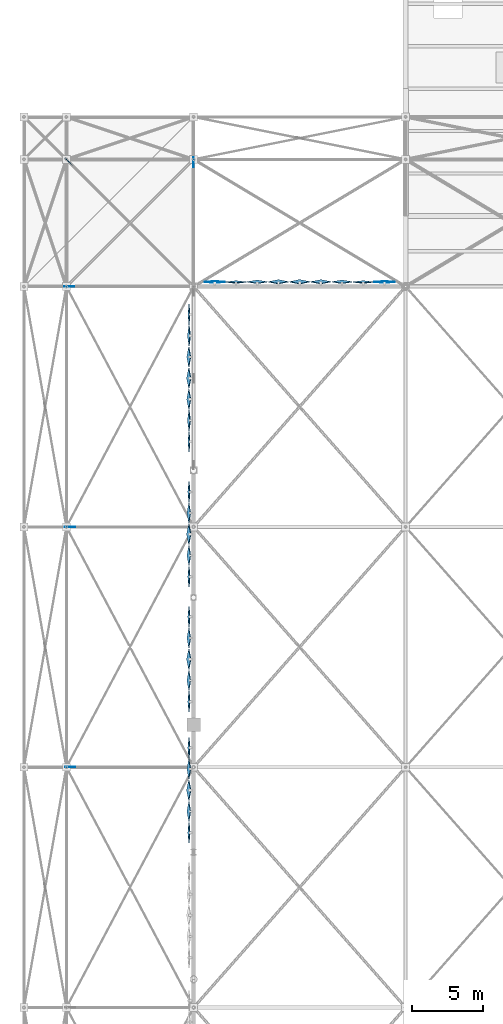
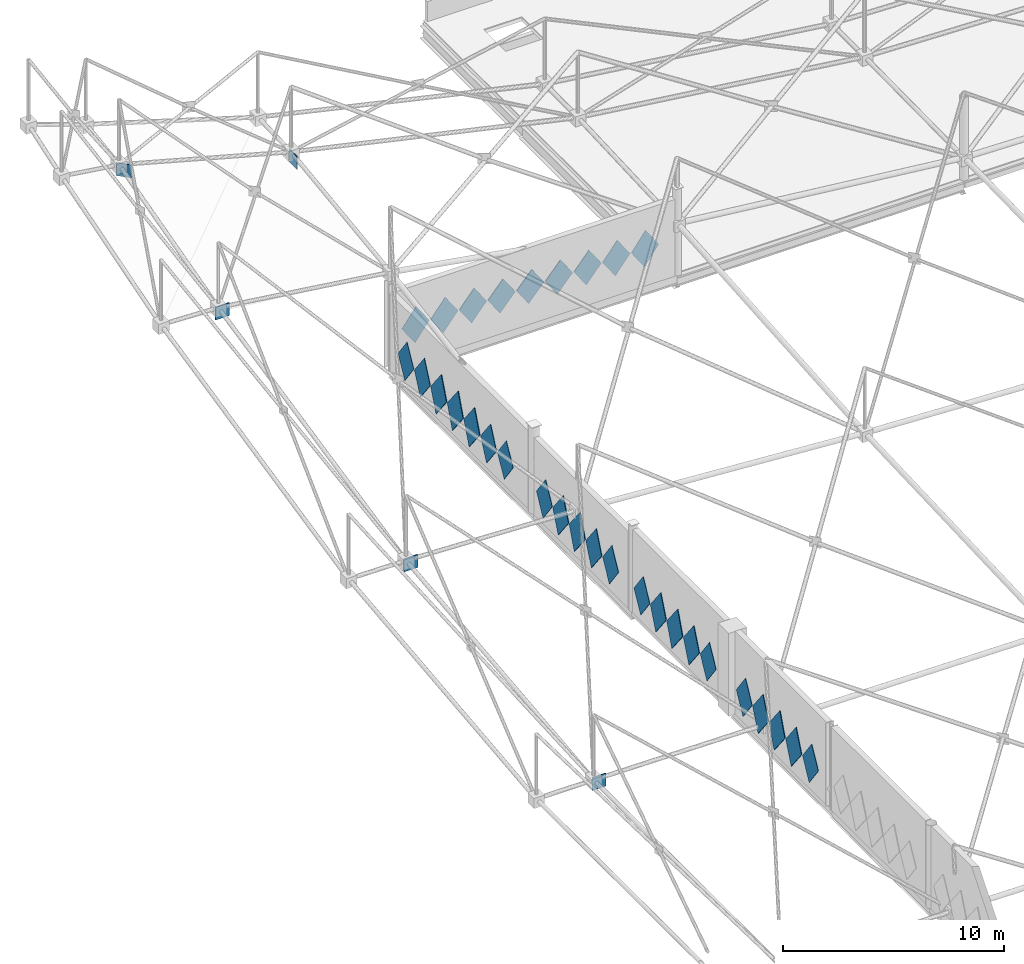
# One storey, part 164 of 224: 36 plates.
"""IFC4 building model written with IfcOpenShell, lengths in metres."""

from ifc_helpers import new_model, si_unit, direction, frame, origin, origin_2d, place, context, subcontext, project, spatial, polyline, rectangle, outline, extrude, material, layer, layer_set, type_object, element, save


model = new_model("IFC4")

# Units and contexts
model_context = context("Model", 3, precision=1e-05, world=origin(), true_north=direction((0.0, 1.0)))
body_context = subcontext(model_context, "Body", "Model", "MODEL_VIEW")
ifc_project = project(units=[si_unit("LENGTHUNIT", "METRE"), si_unit("AREAUNIT", "SQUARE_METRE"), si_unit("VOLUMEUNIT", "CUBIC_METRE"), si_unit("PLANEANGLEUNIT", "RADIAN"), si_unit("MASSUNIT", "GRAM", prefix="KILO")], contexts=[model_context])

# Site, building, storey
site_placement = place(None, origin())
site = spatial("IfcSite", under=ifc_project, at=site_placement, CompositionType="ELEMENT")
building_placement = place(site_placement, origin())
building = spatial("IfcBuilding", under=site, at=building_placement, Name="Qamarlyn Nura Convention Centre", CompositionType="ELEMENT")
storey_placement = place(building_placement, frame((0.0, 0.0, 10.800048828125)))
storey = spatial("IfcBuildingStorey", under=building, at=storey_placement, Name="L02", CompositionType="ELEMENT", Elevation=10.800048828125)

# Plates
ifc_material_1 = material(Name="White high-albedo PVDF aluminium composite sheet", Category="aluminium")
ifc_layer_1 = layer(ifc_material_1, 0.02001953125, Name="FP-DIAM-02")
ifc_layer_set_1 = layer_set([ifc_layer_1], Name="White high-albedo PVDF aluminium composite sheet")
plate_type_1 = type_object("IfcPlateType", Name="FP-DIAM-02", PredefinedType="SHEET", material=ifc_layer_set_1)
for number, where, z_axis, x_axis, name in (
    (1, (-0.31005859375, 92.020751953125, 1.699951171875), (-0.998638653892, 0.0, 0.052161661713), (0.0, -1.0, 0.0), "L02 pivoted white diamond facade tile 0235"),
    (2, (-0.31005859375, 101.020751953125, 1.699951171875), (-0.998638653892, 0.0, 0.052161661713), (0.0, -1.0, 0.0), "L02 pivoted white diamond facade tile 0241"),
    (3, (1.50048828125, 103.31005859375, 1.699951171875), (0.0, 0.998922518042, 0.046409082599), (-1.0, 0.0, 0.0), "L02 pivoted white diamond facade tile 0278"),
    (4, (13.500732421875, 103.31005859375, 1.699951171875), (0.0, 0.998922518042, 0.046409082599), (-1.0, 0.0, 0.0), "L02 pivoted white diamond facade tile 0286"),
):
    element("IfcPlate", number, at=place(storey_placement, frame(where, z_axis=z_axis, x_axis=x_axis)), inside=storey, type_object=plate_type_1, Name=name, PredefinedType="SHEET", context=body_context, shape_type="SweptSolid", body=[
        extrude(outline(polyline([(-0.719970703125, 0.0), (0.0, -1.050048828125), (0.719970703125, 0.0), (0.0, 1.050048828125), (-0.719970703125, 0.0)])), origin(), (0.0, 0.0, 1.0), 0.02001953125),
    ])
ifc_layer_2 = layer(ifc_material_1, 0.02392578125, Name="FP-DIAM-03")
ifc_layer_set_2 = layer_set([ifc_layer_2], Name="White high-albedo PVDF aluminium composite sheet")
plate_type_2 = type_object("IfcPlateType", Name="FP-DIAM-03", PredefinedType="SHEET", material=ifc_layer_set_2)
for number, where, z_axis, x_axis, name in (
    (5, (-0.31005859375, 64.368896484375, 1.699951171875), (-0.998059468659, 0.0, 0.062267945373), (0.0, -1.0, 0.0), "L02 pivoted white diamond facade tile 0220"),
    (6, (-0.31005859375, 70.368896484375, 1.699951171875), (-0.998059468659, 0.0, 0.062267945373), (0.0, -1.0, 0.0), "L02 pivoted white diamond facade tile 0224"),
    (7, (-0.31005859375, 73.635986328125, 1.699951171875), (-0.998059468659, 0.0, 0.062267945373), (0.0, -1.0, 0.0), "L02 pivoted white diamond facade tile 0225"),
    (8, (-0.31005859375, 79.635986328125, 1.699951171875), (-0.998059468659, 0.0, 0.062267945373), (0.0, -1.0, 0.0), "L02 pivoted white diamond facade tile 0229"),
    (9, (-0.31005859375, 82.474609375, 1.699951171875), (-0.998059468659, 0.0, 0.062267945373), (0.0, -1.0, 0.0), "L02 pivoted white diamond facade tile 0230"),
    (10, (-0.31005859375, 88.474609375, 1.699951171875), (-0.998059468659, 0.0, 0.062267945373), (0.0, -1.0, 0.0), "L02 pivoted white diamond facade tile 0234"),
):
    element("IfcPlate", number, at=place(storey_placement, frame(where, z_axis=z_axis, x_axis=x_axis)), inside=storey, type_object=plate_type_2, Name=name, PredefinedType="SHEET", context=body_context, shape_type="SweptSolid", body=[
        extrude(outline(polyline([(-0.719970703125, 0.0), (0.0, -1.050048828125), (0.719970703125, 0.0), (0.0, 1.050048828125), (-0.719970703125, 0.0)])), origin(), (0.0, 0.0, 1.0), 0.02392578125),
    ])
ifc_layer_3 = layer(ifc_material_1, 0.02587890625, Name="FP-DIAM-04")
ifc_layer_set_3 = layer_set([ifc_layer_3], Name="White high-albedo PVDF aluminium composite sheet")
plate_type_3 = type_object("IfcPlateType", Name="FP-DIAM-04", PredefinedType="SHEET", material=ifc_layer_set_3)
for number, where, z_axis, x_axis, name in (
    (11, (3.00048828125, 103.31005859375, 1.699951171875), (0.0, 0.996419457129, 0.084547415428), (-1.0, 0.0, 0.0), "L02 pivoted white diamond facade tile 0279"),
    (12, (12.000732421875, 103.31005859375, 1.699951171875), (0.0, 0.996419457129, 0.084547415428), (-1.0, 0.0, 0.0), "L02 pivoted white diamond facade tile 0285"),
):
    element("IfcPlate", number, at=place(storey_placement, frame(where, z_axis=z_axis, x_axis=x_axis)), inside=storey, type_object=plate_type_3, Name=name, PredefinedType="SHEET", context=body_context, shape_type="SweptSolid", body=[
        extrude(outline(polyline([(-0.719970703125, 0.0), (0.0, -1.050048828125), (0.719970703125, 0.0), (0.0, 1.050048828125), (-0.719970703125, 0.0)])), origin(), (0.0, 0.0, 1.0), 0.02587890625),
    ])
ifc_layer_4 = layer(ifc_material_1, 0.030029296875, Name="FP-DIAM-05")
ifc_layer_set_4 = layer_set([ifc_layer_4], Name="White high-albedo PVDF aluminium composite sheet")
plate_type_4 = type_object("IfcPlateType", Name="FP-DIAM-05", PredefinedType="SHEET", material=ifc_layer_set_4)
for number, where, z_axis, x_axis, name in (
    (13, (-0.31005859375, 93.520751953125, 1.699951171875), (-0.995090178471, 0.0, 0.098972403781), (0.0, -1.0, 0.0), "L02 pivoted white diamond facade tile 0236"),
    (14, (-0.31005859375, 99.520751953125, 1.699951171875), (-0.995090178471, 0.0, 0.098972403781), (0.0, -1.0, 0.0), "L02 pivoted white diamond facade tile 0240"),
):
    element("IfcPlate", number, at=place(storey_placement, frame(where, z_axis=z_axis, x_axis=x_axis)), inside=storey, type_object=plate_type_4, Name=name, PredefinedType="SHEET", context=body_context, shape_type="SweptSolid", body=[
        extrude(outline(polyline([(-0.719970703125, 0.0), (0.0, -1.050048828125), (0.719970703125, 0.0), (0.0, 1.050048828125), (-0.719970703125, 0.0)])), origin(), (0.0, 0.0, 1.0), 0.030029296875),
    ])
ifc_layer_5 = layer(ifc_material_1, 0.0380859375, Name="FP-DIAM-07")
ifc_layer_set_5 = layer_set([ifc_layer_5], Name="White high-albedo PVDF aluminium composite sheet")
plate_type_5 = type_object("IfcPlateType", Name="FP-DIAM-07", PredefinedType="SHEET", material=ifc_layer_set_5)
for number, where, z_axis, x_axis, name in (
    (15, (-0.31005859375, 65.868896484375, 1.699951171875), (-0.99271534578, 0.0, 0.120483369194), (0.0, -1.0, 0.0), "L02 pivoted white diamond facade tile 0221"),
    (16, (-0.31005859375, 68.868896484375, 1.699951171875), (-0.99271534578, 0.0, 0.120483369194), (0.0, -1.0, 0.0), "L02 pivoted white diamond facade tile 0223"),
    (17, (-0.31005859375, 75.135986328125, 1.699951171875), (-0.99271534578, 0.0, 0.120483369194), (0.0, -1.0, 0.0), "L02 pivoted white diamond facade tile 0226"),
    (18, (-0.31005859375, 78.135986328125, 1.699951171875), (-0.99271534578, 0.0, 0.120483369194), (0.0, -1.0, 0.0), "L02 pivoted white diamond facade tile 0228"),
    (19, (-0.31005859375, 83.974609375, 1.699951171875), (-0.99271534578, 0.0, 0.120483369194), (0.0, -1.0, 0.0), "L02 pivoted white diamond facade tile 0231"),
    (20, (-0.31005859375, 86.974609375, 1.699951171875), (-0.99271534578, 0.0, 0.120483369194), (0.0, -1.0, 0.0), "L02 pivoted white diamond facade tile 0233"),
    (21, (4.500732421875, 103.31005859375, 1.699951171875), (0.0, 0.993312448482, 0.115457263478), (-1.0, 0.0, 0.0), "L02 pivoted white diamond facade tile 0280"),
    (22, (10.500732421875, 103.31005859375, 1.699951171875), (0.0, 0.993312448482, 0.115457263478), (-1.0, 0.0, 0.0), "L02 pivoted white diamond facade tile 0284"),
):
    element("IfcPlate", number, at=place(storey_placement, frame(where, z_axis=z_axis, x_axis=x_axis)), inside=storey, type_object=plate_type_5, Name=name, PredefinedType="SHEET", context=body_context, shape_type="SweptSolid", body=[
        extrude(outline(polyline([(-0.719970703125, 0.0), (0.0, -1.050048828125), (0.719970703125, 0.0), (0.0, 1.050048828125), (-0.719970703125, 0.0)])), origin(), (0.0, 0.0, 1.0), 0.0380859375),
    ])
ifc_layer_6 = layer(ifc_material_1, 0.0439453125, Name="FP-DIAM-08")
ifc_layer_set_6 = layer_set([ifc_layer_6], Name="White high-albedo PVDF aluminium composite sheet")
plate_type_6 = type_object("IfcPlateType", Name="FP-DIAM-08", PredefinedType="SHEET", material=ifc_layer_set_6)
for number, where, z_axis, x_axis, name in (
    (23, (-0.31005859375, 67.368896484375, 1.699951171875), (-0.989776230908, 0.0, 0.142628933706), (0.0, -1.0, 0.0), "L02 pivoted white diamond facade tile 0222"),
    (24, (-0.31005859375, 76.635986328125, 1.699951171875), (-0.989776230908, 0.0, 0.142628933706), (0.0, -1.0, 0.0), "L02 pivoted white diamond facade tile 0227"),
    (25, (-0.31005859375, 85.474609375, 1.699951171875), (-0.989776230908, 0.0, 0.142628933706), (0.0, -1.0, 0.0), "L02 pivoted white diamond facade tile 0232"),
    (26, (-0.31005859375, 95.020751953125, 1.699951171875), (-0.9913534953, 0.0, 0.131218319443), (0.0, -1.0, 0.0), "L02 pivoted white diamond facade tile 0237"),
    (27, (-0.31005859375, 96.520751953125, 1.699951171875), (-0.989776230908, 0.0, 0.142628933706), (0.0, -1.0, 0.0), "L02 pivoted white diamond facade tile 0238"),
    (28, (-0.31005859375, 98.020751953125, 1.699951171875), (-0.9913534953, 0.0, 0.131218319443), (0.0, -1.0, 0.0), "L02 pivoted white diamond facade tile 0239"),
    (29, (6.000732421875, 103.31005859375, 1.699951171875), (0.0, 0.990747840471, 0.135715572434), (-1.0, 0.0, 0.0), "L02 pivoted white diamond facade tile 0281"),
    (30, (7.500732421875, 103.31005859375, 1.699951171875), (0.0, 0.989776230908, 0.142628933706), (-1.0, 0.0, 0.0), "L02 pivoted white diamond facade tile 0282"),
    (31, (9.000732421875, 103.31005859375, 1.699951171875), (0.0, 0.990747840471, 0.135715572434), (-1.0, 0.0, 0.0), "L02 pivoted white diamond facade tile 0283"),
):
    element("IfcPlate", number, at=place(storey_placement, frame(where, z_axis=z_axis, x_axis=x_axis)), inside=storey, type_object=plate_type_6, Name=name, PredefinedType="SHEET", context=body_context, shape_type="SweptSolid", body=[
        extrude(outline(polyline([(-0.719970703125, 0.0), (0.0, -1.050048828125), (0.719970703125, 0.0), (0.0, 1.050048828125), (-0.719970703125, 0.0)])), origin(), (0.0, 0.0, 1.0), 0.0439453125),
    ])
ifc_material_2 = material(Name="Structural steel ASTM A572 Grade 50", Category="steel")
ifc_layer_7 = layer(ifc_material_2, 0.035888671875, Name="GP-SN1")
ifc_layer_set_7 = layer_set([ifc_layer_7], Name="Structural steel ASTM A572 Grade 50")
plate_type_7 = type_object("IfcPlateType", Name="GP-SN1", PredefinedType="USERDEFINED", material=ifc_layer_set_7)
for number, where, z_axis, x_axis, name in (
    (32, (-8.722900390625, 69.0, 0.4482421875), (0.0, 0.0, 1.0), (1.0, 0.0, 0.0), "Tree strut gusset plate W-5-H"),
    (33, (-8.840576171875, 111.840576171875, 8.33642578125), (0.0, 0.0, 1.0), (-0.707106781187, 0.707106781187, 0.0), "Tree strut gusset plate NW-CRN-H"),
):
    element("IfcPlate", number, at=place(storey_placement, frame(where, z_axis=z_axis, x_axis=x_axis)), inside=storey, type_object=plate_type_7, Name=name, ObjectType="GUSSET PLATE", PredefinedType="USERDEFINED", context=body_context, shape_type="SweptSolid", body=[
        extrude(rectangle(XDim=0.719970703125, YDim=0.035888671875, at=origin_2d()), origin(), (0.0, 0.0, 1.0), 0.719970703125),
    ])
ifc_layer_8 = layer(ifc_material_2, 0.0419921875, Name="GP-SN2")
ifc_layer_set_8 = layer_set([ifc_layer_8], Name="Structural steel ASTM A572 Grade 50")
plate_type_8 = type_object("IfcPlateType", Name="GP-SN2", PredefinedType="USERDEFINED", material=ifc_layer_set_8)
plate_placement = place(storey_placement, frame((-8.7490234375, 86.0, 2.24267578125), z_axis=(0.0, 0.0, 1.0), x_axis=(1.0, 0.0, 0.0)))
element("IfcPlate", 34, at=plate_placement, inside=storey, type_object=plate_type_8, Name="Tree strut gusset plate W-6-H", ObjectType="GUSSET PLATE", PredefinedType="USERDEFINED", context=body_context, shape_type="SweptSolid", body=[
    extrude(rectangle(XDim=0.719970703125, YDim=0.0419921875, at=origin_2d()), origin(), (0.0, 0.0, 1.0), 0.719970703125),
])
ifc_layer_9 = layer(ifc_material_2, 0.048095703125, Name="GP-SN3")
ifc_layer_set_9 = layer_set([ifc_layer_9], Name="Structural steel ASTM A572 Grade 50")
plate_type_9 = type_object("IfcPlateType", Name="GP-SN3", PredefinedType="USERDEFINED", material=ifc_layer_set_9)
for number, where, z_axis, x_axis, name in (
    (35, (-8.794921875, 103.0, 5.87451171875), (0.0, 0.0, 1.0), (1.0, 0.0, 0.0), "Tree strut gusset plate W-7-H"),
    (36, (0.0, 111.794921875, 5.87451171875), (0.0, 0.0, 1.0), (0.0, 1.0, 0.0), "Tree strut gusset plate N-2-H"),
):
    element("IfcPlate", number, at=place(storey_placement, frame(where, z_axis=z_axis, x_axis=x_axis)), inside=storey, type_object=plate_type_9, Name=name, ObjectType="GUSSET PLATE", PredefinedType="USERDEFINED", context=body_context, shape_type="SweptSolid", body=[
        extrude(rectangle(XDim=0.719970703125, YDim=0.048095703125, at=origin_2d()), origin(), (0.0, 0.0, 1.0), 0.719970703125),
    ])

save(model, "model.ifc")
